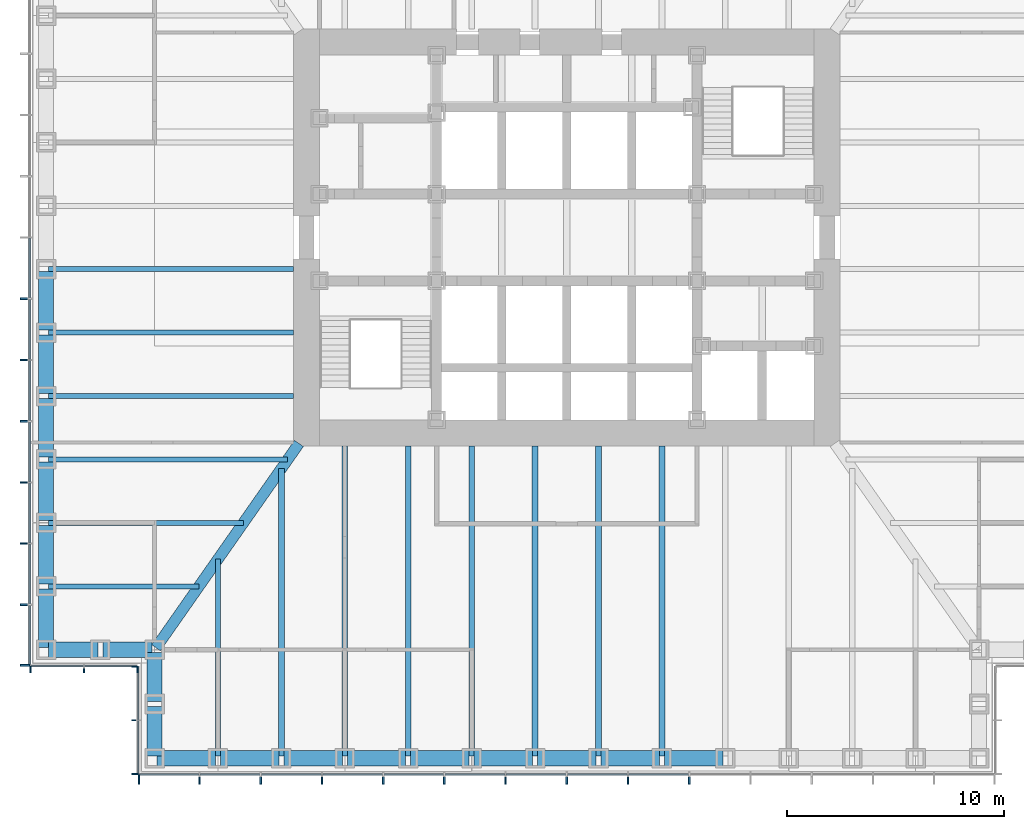
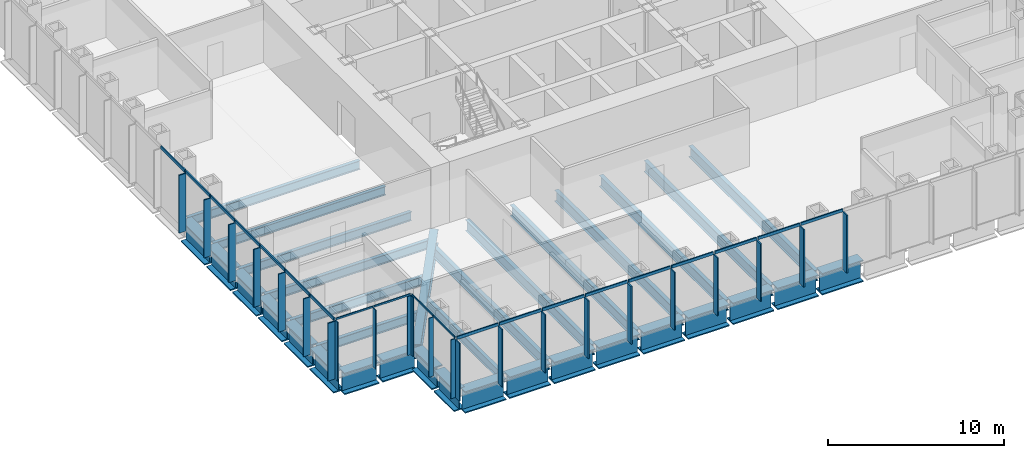
# One storey, part 2 of 17: 43 members, 34 beams, 4 elements without a shape of their own.
"""IFC4 building model written with IfcOpenShell, lengths in metres."""

import ifcopenshell
import ifcopenshell.guid

model = None  # the IFC model being written
_history = None  # IfcOwnerHistory: only IFC2X3 demands one
_inside = {}  # id of a spatial element -> (the spatial element, [elements in it])
_under = {}  # id of a project, library or spatial element -> (it, [spatial elements below it])
_declared = {}  # id of a project -> (the project, [libraries it declares])
_typed = {}  # id of a type object -> (the type object, [elements of that type])
_made_of = {}  # id of a material, layer set ... -> (it, [elements and type objects made of it])


def new_model(schema):
    """Start an empty IFC model of exactly this schema.

    Asked for "IFC4X3", IfcOpenShell would pick the latest addendum, in which some entities
    have other attributes; the version numbers below select the first issue.
    IFC2X3 requires an IfcOwnerHistory on every rooted entity: one is made here for all.
    """
    global model, _history
    if schema == "IFC4X3":
        model = ifcopenshell.file(schema_version=(4, 3, 0, 0))
    else:
        model = ifcopenshell.file(schema=schema)
    _inside.clear()
    _under.clear()
    _declared.clear()
    _typed.clear()
    _made_of.clear()
    _history = None
    if model.schema == "IFC2X3":
        org = make("IfcOrganization", Name="unknown")
        user = make(
            "IfcPersonAndOrganization",
            ThePerson=make("IfcPerson", FamilyName="unknown"),
            TheOrganization=org,
        )
        app = make(
            "IfcApplication",
            ApplicationDeveloper=org,
            Version="unknown",
            ApplicationFullName="unknown",
            ApplicationIdentifier="unknown",
        )
        _history = make(
            "IfcOwnerHistory",
            OwningUser=user,
            OwningApplication=app,
            ChangeAction="ADDED",
            CreationDate=0,
        )
    return model


def make(cls, **values):
    """One entity of the class cls with the attributes given. An attribute that is None is left unset."""
    return model.create_entity(
        cls, **{name: value for name, value in values.items() if value is not None}
    )


def rooted(cls, **values):
    """An entity with a GlobalId (a new one), such as an element, a storey or a relation."""
    return make(cls, GlobalId=ifcopenshell.guid.new(), OwnerHistory=_history, **values)


def si_unit(unit_type, name, prefix=None):
    """IfcSIUnit, for example si_unit("LENGTHUNIT", "METRE", prefix="MILLI")."""
    return make("IfcSIUnit", UnitType=unit_type, Prefix=prefix, Name=name)


def assignment(units):
    """IfcUnitAssignment: the units of a project."""
    return None if units is None else make("IfcUnitAssignment", Units=units)


def point(xyz):
    """IfcCartesianPoint."""
    return None if xyz is None else make("IfcCartesianPoint", Coordinates=xyz)


def direction(xyz):
    """IfcDirection."""
    return None if xyz is None else make("IfcDirection", DirectionRatios=xyz)


def frame(location, z_axis=None, x_axis=None):
    """IfcAxis2Placement3D, a coordinate frame: its origin and axes. An axis left out is left unset."""
    return make(
        "IfcAxis2Placement3D",
        Location=point(location),
        Axis=direction(z_axis),
        RefDirection=direction(x_axis),
    )


def frame_2d(location, x_axis=None):
    """IfcAxis2Placement2D, a coordinate frame in the plane: its origin and x axis."""
    return make(
        "IfcAxis2Placement2D", Location=point(location), RefDirection=direction(x_axis)
    )


def origin():
    """The frame at (0, 0, 0) with its axes left unset."""
    return frame((0.0, 0.0, 0.0))


def origin_2d():
    """The frame at (0, 0) in the plane with its x axis left unset."""
    return frame_2d((0.0, 0.0))


def place(relative_to, where):
    """IfcLocalPlacement: puts the frame where relative to a parent placement (None: the world)."""
    return make(
        "IfcLocalPlacement", PlacementRelTo=relative_to, RelativePlacement=where
    )


def context(
    kind, dimensions, precision=None, world=None, true_north=None, identifier=None
):
    """IfcGeometricRepresentationContext, for example the 3D "Model" context."""
    return make(
        "IfcGeometricRepresentationContext",
        ContextIdentifier=identifier,
        ContextType=kind,
        CoordinateSpaceDimension=dimensions,
        Precision=precision,
        WorldCoordinateSystem=world,
        TrueNorth=true_north,
    )


def subcontext(parent, identifier, kind, view, scale=None):
    """IfcGeometricRepresentationSubContext, for example "Body" below "Model"."""
    return make(
        "IfcGeometricRepresentationSubContext",
        ContextIdentifier=identifier,
        ContextType=kind,
        ParentContext=parent,
        TargetScale=scale,
        TargetView=view,
    )


def project(units=None, contexts=None):
    """IfcProject with its units and contexts."""
    return rooted(
        "IfcProject",
        Name="project",
        RepresentationContexts=contexts,
        UnitsInContext=assignment(units),
    )


def spatial(cls, under=None, at=None, **own):
    """A site, building, storey or space (cls), placed at a placement, below another one or the project."""
    s = rooted(cls, ObjectPlacement=at, **own)
    if under is not None:
        _under.setdefault(under.id(), (under, []))[1].append(s)
    return s


def profile(cls, at=None, kind="AREA", **sizes):
    """A parametric profile (cls). Its sizes go by their IFC names, for example OverallWidth=200.0."""
    return make(cls, ProfileType=kind, Position=at, **sizes)


def rectangle(**sizes):
    """IfcRectangleProfileDef."""
    return profile("IfcRectangleProfileDef", **sizes)


def i_section(**sizes):
    """IfcIShapeProfileDef."""
    return profile("IfcIShapeProfileDef", **sizes)


def extrude(swept, where, along, depth):
    """IfcExtrudedAreaSolid: the profile swept, set in the frame where, extruded along a direction by depth."""
    return make(
        "IfcExtrudedAreaSolid",
        SweptArea=swept,
        Position=where,
        ExtrudedDirection=direction(along),
        Depth=depth,
    )


def shape(context_of_items, identifier, shape_type, items):
    """IfcShapeRepresentation: the items that make up one representation, for example the "Body"."""
    return make(
        "IfcShapeRepresentation",
        ContextOfItems=context_of_items,
        RepresentationIdentifier=identifier,
        RepresentationType=shape_type,
        Items=items,
    )


def material(Name=None, Category=None):
    """IfcMaterial."""
    return make("IfcMaterial", Name=Name, Category=Category)


def material_profile(
    of_material, cross_section, Name=None, Category=None, Priority=None
):
    """IfcMaterialProfile: a cross section and its material."""
    return make(
        "IfcMaterialProfile",
        Name=Name,
        Material=of_material,
        Profile=cross_section,
        Priority=Priority,
        Category=Category,
    )


def profile_set(profiles, Name=None, composite=None):
    """IfcMaterialProfileSet."""
    return make(
        "IfcMaterialProfileSet",
        Name=Name,
        MaterialProfiles=profiles,
        CompositeProfile=composite,
    )


def made_of(thing, what):
    """Note that an element or type object is made of a material, layer set ...; save() writes the relation."""
    if what is not None:
        _made_of.setdefault(what.id(), (what, []))[1].append(thing)
    return thing


def type_object(cls, material=None, **own):
    """A type object (cls), such as IfcWallType, which elements share."""
    return made_of(rooted(cls, **own), material)


def element(
    cls,
    number,
    at=None,
    inside=None,
    cuts=None,
    type_object=None,
    material=None,
    context=None,
    identifier="Body",
    shape_type=None,
    held_by="IfcProductDefinitionShape",
    body=None,
    shapes=None,
    **own,
):
    """One element of the class cls, such as IfcWall. Its Tag is "e" and its number.

    at: its placement. inside: the storey or other place that contains it. cuts: it is an
    opening in that element (IfcRelVoidsElement). A single representation is given by context,
    identifier, shape_type and body (its items); several are given by shapes. held_by: the class
    of the entity that holds the representations. save() writes the other relations.
    """
    e = rooted(cls, Tag="e%d" % number, ObjectPlacement=at, **own)
    if body is not None:
        shapes = [shape(context, identifier, shape_type, body)]
    if shapes is not None:
        e.Representation = make(held_by, Representations=shapes)
    if inside is not None:
        _inside.setdefault(inside.id(), (inside, []))[1].append(e)
    if cuts is not None:
        rooted(
            "IfcRelVoidsElement", RelatingBuildingElement=cuts, RelatedOpeningElement=e
        )
    if type_object is not None:
        _typed.setdefault(type_object.id(), (type_object, []))[1].append(e)
    return made_of(e, material)


def aggregate(whole, parts):
    """IfcRelAggregates: a whole, such as a stair, and the parts it consists of."""
    return rooted("IfcRelAggregates", RelatingObject=whole, RelatedObjects=parts)


def save(model, path):
    """Write the relations noted so far, then the file.

    IfcRelAggregates (storeys below a building ...), IfcRelContainedInSpatialStructure (elements
    in a storey), IfcRelDefinesByType, IfcRelAssociatesMaterial and IfcRelDeclares: one each for
    every whole, place, type object, material and project.
    """
    for whole, parts in _under.values():
        aggregate(whole, parts)
    for where, things in _inside.values():
        rooted(
            "IfcRelContainedInSpatialStructure",
            RelatedElements=things,
            RelatingStructure=where,
        )
    for kind, things in _typed.values():
        rooted("IfcRelDefinesByType", RelatedObjects=things, RelatingType=kind)
    for what, things in _made_of.values():
        rooted("IfcRelAssociatesMaterial", RelatedObjects=things, RelatingMaterial=what)
    for by, libraries in _declared.values():
        rooted("IfcRelDeclares", RelatingContext=by, RelatedDefinitions=libraries)
    model.write(path)


model = new_model("IFC4")

# Units and contexts
model_context = context("Model", 3, precision=1e-05, world=origin(), true_north=direction((0.0, 1.0)))
body_context = subcontext(model_context, "Body", "Model", "MODEL_VIEW")
ifc_project = project(units=[si_unit("LENGTHUNIT", "METRE"), si_unit("AREAUNIT", "SQUARE_METRE"), si_unit("VOLUMEUNIT", "CUBIC_METRE"), si_unit("PLANEANGLEUNIT", "RADIAN"), si_unit("MASSUNIT", "GRAM", prefix="KILO")], contexts=[model_context])

# Site, building, storey
site_placement = place(None, origin())
site = spatial("IfcSite", under=ifc_project, at=site_placement, CompositionType="ELEMENT")
building_placement = place(site_placement, origin())
building = spatial("IfcBuilding", under=site, at=building_placement, Name="Daluyong Arena Tower", CompositionType="ELEMENT")
storey_placement = place(building_placement, frame((0.0, 0.0, 89.5)))
storey = spatial("IfcBuildingStorey", under=building, at=storey_placement, Name="L19", CompositionType="ELEMENT", Elevation=89.5)

# Curtain wall, members
ifc_material_1 = material(Name="Bronze anodised aluminium and glass", Category="aluminium")
curtain_wall_type_1 = type_object("IfcCurtainWallType", Name="Curtain wall CW1", PredefinedType="USERDEFINED", material=ifc_material_1)
curtain_wall_1_placement = place(storey_placement, origin())
curtain_wall_1 = element("IfcCurtainWall", 1, at=curtain_wall_1_placement, inside=storey, type_object=curtain_wall_type_1, Name="curtain wall L19 S", ObjectType="UNITISED CURTAIN WALL", PredefinedType="USERDEFINED")
ifc_material_2 = material(Name="Bronze anodised aluminium fin", Category="aluminium")
ifc_material_profile_1 = material_profile(ifc_material_2, rectangle(XDim=0.449951171875, YDim=0.080078125, at=origin_2d()))
ifc_profile_set_1 = profile_set([ifc_material_profile_1], Name="Bronze anodised aluminium fin")
member_type_1 = type_object("IfcMemberType", Name="CW1 bronze fin 450x80", PredefinedType="MULLION", material=ifc_profile_set_1)
member_1_placement = place(storey_placement, frame((36.2900390625, 55.02490234375, 0.0), z_axis=(0.0, 0.0, 1.0), x_axis=(0.0, 1.0, 0.0)))
member_1 = element("IfcMember", 2, at=member_1_placement, type_object=member_type_1, Name="curtain wall L19 S fin 1", PredefinedType="MULLION", context=body_context, shape_type="SweptSolid", body=[
    extrude(rectangle(XDim=0.449951171875, YDim=0.080078125, at=origin_2d()), origin(), (0.0, 0.0, 1.0), 4.0),
])
member_2_placement = place(storey_placement, frame((39.071533203125, 55.02490234375, 0.0), z_axis=(0.0, 0.0, 1.0), x_axis=(0.0, 1.0, 0.0)))
member_2 = element("IfcMember", 3, at=member_2_placement, type_object=member_type_1, Name="curtain wall L19 S fin 2", PredefinedType="MULLION", context=body_context, shape_type="SweptSolid", body=[
    extrude(rectangle(XDim=0.449951171875, YDim=0.080078125, at=origin_2d()), origin(), (0.0, 0.0, 1.0), 4.0),
])
member_3_placement = place(storey_placement, frame((41.892822265625, 55.02490234375, 0.0), z_axis=(0.0, 0.0, 1.0), x_axis=(0.0, 1.0, 0.0)))
member_3 = element("IfcMember", 4, at=member_3_placement, type_object=member_type_1, Name="curtain wall L19 S fin 3", PredefinedType="MULLION", context=body_context, shape_type="SweptSolid", body=[
    extrude(rectangle(XDim=0.449951171875, YDim=0.080078125, at=origin_2d()), origin(), (0.0, 0.0, 1.0), 4.0),
])
member_4_placement = place(storey_placement, frame((44.71435546875, 55.02490234375, 0.0), z_axis=(0.0, 0.0, 1.0), x_axis=(0.0, 1.0, 0.0)))
member_4 = element("IfcMember", 5, at=member_4_placement, type_object=member_type_1, Name="curtain wall L19 S fin 4", PredefinedType="MULLION", context=body_context, shape_type="SweptSolid", body=[
    extrude(rectangle(XDim=0.449951171875, YDim=0.080078125, at=origin_2d()), origin(), (0.0, 0.0, 1.0), 4.0),
])
member_5_placement = place(storey_placement, frame((47.53564453125, 55.02490234375, 0.0), z_axis=(0.0, 0.0, 1.0), x_axis=(0.0, 1.0, 0.0)))
member_5 = element("IfcMember", 6, at=member_5_placement, type_object=member_type_1, Name="curtain wall L19 S fin 5", PredefinedType="MULLION", context=body_context, shape_type="SweptSolid", body=[
    extrude(rectangle(XDim=0.449951171875, YDim=0.080078125, at=origin_2d()), origin(), (0.0, 0.0, 1.0), 4.0),
])
member_6_placement = place(storey_placement, frame((50.357177734375, 55.02490234375, 0.0), z_axis=(0.0, 0.0, 1.0), x_axis=(0.0, 1.0, 0.0)))
member_6 = element("IfcMember", 7, at=member_6_placement, type_object=member_type_1, Name="curtain wall L19 S fin 6", PredefinedType="MULLION", context=body_context, shape_type="SweptSolid", body=[
    extrude(rectangle(XDim=0.449951171875, YDim=0.080078125, at=origin_2d()), origin(), (0.0, 0.0, 1.0), 4.0),
])
member_7_placement = place(storey_placement, frame((53.178466796875, 55.02490234375, 0.0), z_axis=(0.0, 0.0, 1.0), x_axis=(0.0, 1.0, 0.0)))
member_7 = element("IfcMember", 8, at=member_7_placement, type_object=member_type_1, Name="curtain wall L19 S fin 7", PredefinedType="MULLION", context=body_context, shape_type="SweptSolid", body=[
    extrude(rectangle(XDim=0.449951171875, YDim=0.080078125, at=origin_2d()), origin(), (0.0, 0.0, 1.0), 4.0),
])
member_8_placement = place(storey_placement, frame((56.0, 55.02490234375, 0.0), z_axis=(0.0, 0.0, 1.0), x_axis=(0.0, 1.0, 0.0)))
member_8 = element("IfcMember", 9, at=member_8_placement, type_object=member_type_1, Name="curtain wall L19 S fin 8", PredefinedType="MULLION", context=body_context, shape_type="SweptSolid", body=[
    extrude(rectangle(XDim=0.449951171875, YDim=0.080078125, at=origin_2d()), origin(), (0.0, 0.0, 1.0), 4.0),
])
member_9_placement = place(storey_placement, frame((58.821533203125, 55.02490234375, 0.0), z_axis=(0.0, 0.0, 1.0), x_axis=(0.0, 1.0, 0.0)))
member_9 = element("IfcMember", 10, at=member_9_placement, type_object=member_type_1, Name="curtain wall L19 S fin 9", PredefinedType="MULLION", context=body_context, shape_type="SweptSolid", body=[
    extrude(rectangle(XDim=0.449951171875, YDim=0.080078125, at=origin_2d()), origin(), (0.0, 0.0, 1.0), 4.0),
])
member_10_placement = place(storey_placement, frame((61.642822265625, 55.02490234375, 0.0), z_axis=(0.0, 0.0, 1.0), x_axis=(0.0, 1.0, 0.0)))
member_10 = element("IfcMember", 11, at=member_10_placement, type_object=member_type_1, Name="curtain wall L19 S fin 10", PredefinedType="MULLION", context=body_context, shape_type="SweptSolid", body=[
    extrude(rectangle(XDim=0.449951171875, YDim=0.080078125, at=origin_2d()), origin(), (0.0, 0.0, 1.0), 4.0),
])

curtain_wall_2_placement = place(storey_placement, origin())
curtain_wall_2 = element("IfcCurtainWall", 12, at=curtain_wall_2_placement, inside=storey, type_object=curtain_wall_type_1, Name="curtain wall L19 W", ObjectType="UNITISED CURTAIN WALL", PredefinedType="USERDEFINED")
member_11_placement = place(storey_placement, frame((31.02490234375, 77.178466796875, 0.0), z_axis=(0.0, 0.0, 1.0), x_axis=(1.0, 0.0, 0.0)))
member_11 = element("IfcMember", 13, at=member_11_placement, type_object=member_type_1, Name="curtain wall L19 W fin 9", PredefinedType="MULLION", context=body_context, shape_type="SweptSolid", body=[
    extrude(rectangle(XDim=0.449951171875, YDim=0.080078125, at=origin_2d()), origin(), (0.0, 0.0, 1.0), 4.0),
])
member_12_placement = place(storey_placement, frame((31.02490234375, 74.357177734375, 0.0), z_axis=(0.0, 0.0, 1.0), x_axis=(1.0, 0.0, 0.0)))
member_12 = element("IfcMember", 14, at=member_12_placement, type_object=member_type_1, Name="curtain wall L19 W fin 10", PredefinedType="MULLION", context=body_context, shape_type="SweptSolid", body=[
    extrude(rectangle(XDim=0.449951171875, YDim=0.080078125, at=origin_2d()), origin(), (0.0, 0.0, 1.0), 4.0),
])
member_13_placement = place(storey_placement, frame((31.02490234375, 71.53564453125, 0.0), z_axis=(0.0, 0.0, 1.0), x_axis=(1.0, 0.0, 0.0)))
member_13 = element("IfcMember", 15, at=member_13_placement, type_object=member_type_1, Name="curtain wall L19 W fin 11", PredefinedType="MULLION", context=body_context, shape_type="SweptSolid", body=[
    extrude(rectangle(XDim=0.449951171875, YDim=0.080078125, at=origin_2d()), origin(), (0.0, 0.0, 1.0), 4.0),
])
member_14_placement = place(storey_placement, frame((31.02490234375, 68.71435546875, 0.0), z_axis=(0.0, 0.0, 1.0), x_axis=(1.0, 0.0, 0.0)))
member_14 = element("IfcMember", 16, at=member_14_placement, type_object=member_type_1, Name="curtain wall L19 W fin 12", PredefinedType="MULLION", context=body_context, shape_type="SweptSolid", body=[
    extrude(rectangle(XDim=0.449951171875, YDim=0.080078125, at=origin_2d()), origin(), (0.0, 0.0, 1.0), 4.0),
])
member_15_placement = place(storey_placement, frame((31.02490234375, 65.892822265625, 0.0), z_axis=(0.0, 0.0, 1.0), x_axis=(1.0, 0.0, 0.0)))
member_15 = element("IfcMember", 17, at=member_15_placement, type_object=member_type_1, Name="curtain wall L19 W fin 13", PredefinedType="MULLION", context=body_context, shape_type="SweptSolid", body=[
    extrude(rectangle(XDim=0.449951171875, YDim=0.080078125, at=origin_2d()), origin(), (0.0, 0.0, 1.0), 4.0),
])
member_16_placement = place(storey_placement, frame((31.02490234375, 63.071533203125, 0.0), z_axis=(0.0, 0.0, 1.0), x_axis=(1.0, 0.0, 0.0)))
member_16 = element("IfcMember", 18, at=member_16_placement, type_object=member_type_1, Name="curtain wall L19 W fin 14", PredefinedType="MULLION", context=body_context, shape_type="SweptSolid", body=[
    extrude(rectangle(XDim=0.449951171875, YDim=0.080078125, at=origin_2d()), origin(), (0.0, 0.0, 1.0), 4.0),
])
member_17_placement = place(storey_placement, frame((31.02490234375, 60.2900390625, 0.0), z_axis=(0.0, 0.0, 1.0), x_axis=(1.0, 0.0, 0.0)))
member_17 = element("IfcMember", 19, at=member_17_placement, type_object=member_type_1, Name="curtain wall L19 W fin 15", PredefinedType="MULLION", context=body_context, shape_type="SweptSolid", body=[
    extrude(rectangle(XDim=0.449951171875, YDim=0.080078125, at=origin_2d()), origin(), (0.0, 0.0, 1.0), 4.0),
])

# Member
ifc_material_3 = material(Name="Bronze anodised aluminium", Category="aluminium")
ifc_material_profile_2 = material_profile(ifc_material_3, rectangle(XDim=0.080078125, YDim=0.199951171875, at=origin_2d()))
ifc_profile_set_2 = profile_set([ifc_material_profile_2], Name="Bronze anodised aluminium")
member_type_2 = type_object("IfcMemberType", Name="CW1 stack transom 200x80", PredefinedType="USERDEFINED", material=ifc_profile_set_2)
member_18_placement = place(storey_placement, frame((36.330078125, 55.25, 4.10009765625), z_axis=(1.0, 0.0, 0.0), x_axis=(0.0, 1.0, 0.0)))
member_18 = element("IfcMember", 20, at=member_18_placement, type_object=member_type_2, Name="curtain wall L19 S transom 1", ObjectType="TRANSOM", PredefinedType="USERDEFINED", context=body_context, shape_type="SweptSolid", body=[
    extrude(rectangle(XDim=0.080078125, YDim=0.199951171875, at=origin_2d()), origin(), (0.0, 0.0, 1.0), 2.701416015625),
])

member_19_placement = place(storey_placement, frame((39.111328125, 55.25, 4.10009765625), z_axis=(1.0, 0.0, 0.0), x_axis=(0.0, 1.0, 0.0)))
member_19 = element("IfcMember", 21, at=member_19_placement, type_object=member_type_2, Name="curtain wall L19 S transom 2", ObjectType="TRANSOM", PredefinedType="USERDEFINED", context=body_context, shape_type="SweptSolid", body=[
    extrude(rectangle(XDim=0.080078125, YDim=0.199951171875, at=origin_2d()), origin(), (0.0, 0.0, 1.0), 2.741455078125),
])

member_20_placement = place(storey_placement, frame((41.932861328125, 55.25, 4.10009765625), z_axis=(1.0, 0.0, 0.0), x_axis=(0.0, 1.0, 0.0)))
member_20 = element("IfcMember", 22, at=member_20_placement, type_object=member_type_2, Name="curtain wall L19 S transom 3", ObjectType="TRANSOM", PredefinedType="USERDEFINED", context=body_context, shape_type="SweptSolid", body=[
    extrude(rectangle(XDim=0.080078125, YDim=0.199951171875, at=origin_2d()), origin(), (0.0, 0.0, 1.0), 2.741455078125),
])

member_21_placement = place(storey_placement, frame((44.75439453125, 55.25, 4.10009765625), z_axis=(1.0, 0.0, 0.0), x_axis=(0.0, 1.0, 0.0)))
member_21 = element("IfcMember", 23, at=member_21_placement, type_object=member_type_2, Name="curtain wall L19 S transom 4", ObjectType="TRANSOM", PredefinedType="USERDEFINED", context=body_context, shape_type="SweptSolid", body=[
    extrude(rectangle(XDim=0.080078125, YDim=0.199951171875, at=origin_2d()), origin(), (0.0, 0.0, 1.0), 2.7412109375),
])

member_22_placement = place(storey_placement, frame((47.57568359375, 55.25, 4.10009765625), z_axis=(1.0, 0.0, 0.0), x_axis=(0.0, 1.0, 0.0)))
member_22 = element("IfcMember", 24, at=member_22_placement, type_object=member_type_2, Name="curtain wall L19 S transom 5", ObjectType="TRANSOM", PredefinedType="USERDEFINED", context=body_context, shape_type="SweptSolid", body=[
    extrude(rectangle(XDim=0.080078125, YDim=0.199951171875, at=origin_2d()), origin(), (0.0, 0.0, 1.0), 2.741455078125),
])

member_23_placement = place(storey_placement, frame((50.397216796875, 55.25, 4.10009765625), z_axis=(1.0, 0.0, 0.0), x_axis=(0.0, 1.0, 0.0)))
member_23 = element("IfcMember", 25, at=member_23_placement, type_object=member_type_2, Name="curtain wall L19 S transom 6", ObjectType="TRANSOM", PredefinedType="USERDEFINED", context=body_context, shape_type="SweptSolid", body=[
    extrude(rectangle(XDim=0.080078125, YDim=0.199951171875, at=origin_2d()), origin(), (0.0, 0.0, 1.0), 2.741455078125),
])

member_24_placement = place(storey_placement, frame((53.218505859375, 55.25, 4.10009765625), z_axis=(1.0, 0.0, 0.0), x_axis=(0.0, 1.0, 0.0)))
member_24 = element("IfcMember", 26, at=member_24_placement, type_object=member_type_2, Name="curtain wall L19 S transom 7", ObjectType="TRANSOM", PredefinedType="USERDEFINED", context=body_context, shape_type="SweptSolid", body=[
    extrude(rectangle(XDim=0.080078125, YDim=0.199951171875, at=origin_2d()), origin(), (0.0, 0.0, 1.0), 2.741455078125),
])

member_25_placement = place(storey_placement, frame((56.0400390625, 55.25, 4.10009765625), z_axis=(1.0, 0.0, 0.0), x_axis=(0.0, 1.0, 0.0)))
member_25 = element("IfcMember", 27, at=member_25_placement, type_object=member_type_2, Name="curtain wall L19 S transom 8", ObjectType="TRANSOM", PredefinedType="USERDEFINED", context=body_context, shape_type="SweptSolid", body=[
    extrude(rectangle(XDim=0.080078125, YDim=0.199951171875, at=origin_2d()), origin(), (0.0, 0.0, 1.0), 2.741455078125),
])

member_26_placement = place(storey_placement, frame((58.861328125, 55.25, 4.10009765625), z_axis=(1.0, 0.0, 0.0), x_axis=(0.0, 1.0, 0.0)))
member_26 = element("IfcMember", 28, at=member_26_placement, type_object=member_type_2, Name="curtain wall L19 S transom 9", ObjectType="TRANSOM", PredefinedType="USERDEFINED", context=body_context, shape_type="SweptSolid", body=[
    extrude(rectangle(XDim=0.080078125, YDim=0.199951171875, at=origin_2d()), origin(), (0.0, 0.0, 1.0), 2.741455078125),
])

aggregate(curtain_wall_1, [member_1, member_2, member_3, member_4, member_5, member_6, member_7, member_8, member_9, member_10, member_18, member_19, member_20, member_21, member_22, member_23, member_24, member_25, member_26])

member_27_placement = place(storey_placement, frame((31.25, 79.9599609375, 4.10009765625), z_axis=(0.0, -1.0, 0.0), x_axis=(1.0, 0.0, 0.0)))
member_27 = element("IfcMember", 29, at=member_27_placement, type_object=member_type_2, Name="curtain wall L19 W transom 8", ObjectType="TRANSOM", PredefinedType="USERDEFINED", context=body_context, shape_type="SweptSolid", body=[
    extrude(rectangle(XDim=0.080078125, YDim=0.199951171875, at=origin_2d()), origin(), (0.0, 0.0, 1.0), 2.741455078125),
])

member_28_placement = place(storey_placement, frame((31.25, 77.138671875, 4.10009765625), z_axis=(0.0, -1.0, 0.0), x_axis=(1.0, 0.0, 0.0)))
member_28 = element("IfcMember", 30, at=member_28_placement, type_object=member_type_2, Name="curtain wall L19 W transom 9", ObjectType="TRANSOM", PredefinedType="USERDEFINED", context=body_context, shape_type="SweptSolid", body=[
    extrude(rectangle(XDim=0.080078125, YDim=0.199951171875, at=origin_2d()), origin(), (0.0, 0.0, 1.0), 2.741455078125),
])

member_29_placement = place(storey_placement, frame((31.25, 74.317138671875, 4.10009765625), z_axis=(0.0, -1.0, 0.0), x_axis=(1.0, 0.0, 0.0)))
member_29 = element("IfcMember", 31, at=member_29_placement, type_object=member_type_2, Name="curtain wall L19 W transom 10", ObjectType="TRANSOM", PredefinedType="USERDEFINED", context=body_context, shape_type="SweptSolid", body=[
    extrude(rectangle(XDim=0.080078125, YDim=0.199951171875, at=origin_2d()), origin(), (0.0, 0.0, 1.0), 2.741455078125),
])

member_30_placement = place(storey_placement, frame((31.25, 71.49560546875, 4.10009765625), z_axis=(0.0, -1.0, 0.0), x_axis=(1.0, 0.0, 0.0)))
member_30 = element("IfcMember", 32, at=member_30_placement, type_object=member_type_2, Name="curtain wall L19 W transom 11", ObjectType="TRANSOM", PredefinedType="USERDEFINED", context=body_context, shape_type="SweptSolid", body=[
    extrude(rectangle(XDim=0.080078125, YDim=0.199951171875, at=origin_2d()), origin(), (0.0, 0.0, 1.0), 2.7412109375),
])

member_31_placement = place(storey_placement, frame((31.25, 68.67431640625, 4.10009765625), z_axis=(0.0, -1.0, 0.0), x_axis=(1.0, 0.0, 0.0)))
member_31 = element("IfcMember", 33, at=member_31_placement, type_object=member_type_2, Name="curtain wall L19 W transom 12", ObjectType="TRANSOM", PredefinedType="USERDEFINED", context=body_context, shape_type="SweptSolid", body=[
    extrude(rectangle(XDim=0.080078125, YDim=0.199951171875, at=origin_2d()), origin(), (0.0, 0.0, 1.0), 2.741455078125),
])

member_32_placement = place(storey_placement, frame((31.25, 65.852783203125, 4.10009765625), z_axis=(0.0, -1.0, 0.0), x_axis=(1.0, 0.0, 0.0)))
member_32 = element("IfcMember", 34, at=member_32_placement, type_object=member_type_2, Name="curtain wall L19 W transom 13", ObjectType="TRANSOM", PredefinedType="USERDEFINED", context=body_context, shape_type="SweptSolid", body=[
    extrude(rectangle(XDim=0.080078125, YDim=0.199951171875, at=origin_2d()), origin(), (0.0, 0.0, 1.0), 2.741455078125),
])

member_33_placement = place(storey_placement, frame((31.25, 63.031494140625, 4.10009765625), z_axis=(0.0, -1.0, 0.0), x_axis=(1.0, 0.0, 0.0)))
member_33 = element("IfcMember", 35, at=member_33_placement, type_object=member_type_2, Name="curtain wall L19 W transom 14", ObjectType="TRANSOM", PredefinedType="USERDEFINED", context=body_context, shape_type="SweptSolid", body=[
    extrude(rectangle(XDim=0.080078125, YDim=0.199951171875, at=origin_2d()), origin(), (0.0, 0.0, 1.0), 2.701416015625),
])

aggregate(curtain_wall_2, [member_11, member_12, member_13, member_14, member_15, member_16, member_17, member_27, member_28, member_29, member_30, member_31, member_32, member_33])

# Curtain wall, members
ifc_material_4 = material(Name="Bronze anodised aluminium and glass", Category="aluminium")
curtain_wall_type_2 = type_object("IfcCurtainWallType", Name="Curtain wall CW7", PredefinedType="USERDEFINED", material=ifc_material_4)
curtain_wall_3_placement = place(storey_placement, origin())
curtain_wall_3 = element("IfcCurtainWall", 36, at=curtain_wall_3_placement, inside=storey, type_object=curtain_wall_type_2, Name="curtain wall L19 SW-S", ObjectType="UNITISED CURTAIN WALL", PredefinedType="USERDEFINED")
ifc_material_5 = material(Name="Bronze anodised aluminium fin", Category="aluminium")
ifc_material_profile_3 = material_profile(ifc_material_5, rectangle(XDim=0.300048828125, YDim=0.06005859375, at=origin_2d()))
ifc_profile_set_3 = profile_set([ifc_material_profile_3], Name="Bronze anodised aluminium fin")
member_type_3 = type_object("IfcMemberType", Name="CW7 bronze fin 300x60", PredefinedType="MULLION", material=ifc_profile_set_3)
member_34_placement = place(storey_placement, frame((31.280029296875, 60.10009765625, 0.0), z_axis=(0.0, 0.0, 1.0), x_axis=(0.0, 1.0, 0.0)))
member_34 = element("IfcMember", 37, at=member_34_placement, type_object=member_type_3, Name="curtain wall L19 SW-S fin 1", PredefinedType="MULLION", context=body_context, shape_type="SweptSolid", body=[
    extrude(rectangle(XDim=0.300048828125, YDim=0.06005859375, at=origin_2d()), origin(), (0.0, 0.0, 1.0), 4.080078125),
])
member_35_placement = place(storey_placement, frame((33.75, 60.10009765625, 0.0), z_axis=(0.0, 0.0, 1.0), x_axis=(0.0, 1.0, 0.0)))
member_35 = element("IfcMember", 38, at=member_35_placement, type_object=member_type_3, Name="curtain wall L19 SW-S fin 2", PredefinedType="MULLION", context=body_context, shape_type="SweptSolid", body=[
    extrude(rectangle(XDim=0.300048828125, YDim=0.06005859375, at=origin_2d()), origin(), (0.0, 0.0, 1.0), 4.080078125),
])
member_36_placement = place(storey_placement, frame((36.219970703125, 60.10009765625, 0.0), z_axis=(0.0, 0.0, 1.0), x_axis=(0.0, 1.0, 0.0)))
member_36 = element("IfcMember", 39, at=member_36_placement, type_object=member_type_3, Name="curtain wall L19 SW-S fin 3", PredefinedType="MULLION", context=body_context, shape_type="SweptSolid", body=[
    extrude(rectangle(XDim=0.300048828125, YDim=0.06005859375, at=origin_2d()), origin(), (0.0, 0.0, 1.0), 4.080078125),
])

curtain_wall_4_placement = place(storey_placement, origin())
curtain_wall_4 = element("IfcCurtainWall", 40, at=curtain_wall_4_placement, inside=storey, type_object=curtain_wall_type_2, Name="curtain wall L19 SW-W", ObjectType="UNITISED CURTAIN WALL", PredefinedType="USERDEFINED")
member_37_placement = place(storey_placement, frame((36.10009765625, 60.219970703125, 0.0), z_axis=(0.0, 0.0, 1.0), x_axis=(1.0, 0.0, 0.0)))
member_37 = element("IfcMember", 41, at=member_37_placement, type_object=member_type_3, Name="curtain wall L19 SW-W fin 1", PredefinedType="MULLION", context=body_context, shape_type="SweptSolid", body=[
    extrude(rectangle(XDim=0.300048828125, YDim=0.06005859375, at=origin_2d()), origin(), (0.0, 0.0, 1.0), 4.080078125),
])
member_38_placement = place(storey_placement, frame((36.10009765625, 57.75, 0.0), z_axis=(0.0, 0.0, 1.0), x_axis=(1.0, 0.0, 0.0)))
member_38 = element("IfcMember", 42, at=member_38_placement, type_object=member_type_3, Name="curtain wall L19 SW-W fin 2", PredefinedType="MULLION", context=body_context, shape_type="SweptSolid", body=[
    extrude(rectangle(XDim=0.300048828125, YDim=0.06005859375, at=origin_2d()), origin(), (0.0, 0.0, 1.0), 4.080078125),
])
member_39_placement = place(storey_placement, frame((36.10009765625, 55.280029296875, 0.0), z_axis=(0.0, 0.0, 1.0), x_axis=(1.0, 0.0, 0.0)))
member_39 = element("IfcMember", 43, at=member_39_placement, type_object=member_type_3, Name="curtain wall L19 SW-W fin 3", PredefinedType="MULLION", context=body_context, shape_type="SweptSolid", body=[
    extrude(rectangle(XDim=0.300048828125, YDim=0.06005859375, at=origin_2d()), origin(), (0.0, 0.0, 1.0), 4.080078125),
])

# Member
ifc_material_6 = material(Name="Bronze anodised aluminium", Category="aluminium")
ifc_material_profile_4 = material_profile(ifc_material_6, rectangle(XDim=0.06005859375, YDim=0.1201171875, at=origin_2d()))
ifc_profile_set_4 = profile_set([ifc_material_profile_4], Name="Bronze anodised aluminium")
member_type_4 = type_object("IfcMemberType", Name="CW7 stack transom 120x60", PredefinedType="USERDEFINED", material=ifc_profile_set_4)
member_40_placement = place(storey_placement, frame((31.31005859375, 60.25, 4.139892578125), z_axis=(1.0, 0.0, 0.0), x_axis=(0.0, 1.0, 0.0)))
member_40 = element("IfcMember", 44, at=member_40_placement, type_object=member_type_4, Name="curtain wall L19 SW-S transom 1", ObjectType="TRANSOM", PredefinedType="USERDEFINED", context=body_context, shape_type="SweptSolid", body=[
    extrude(rectangle(XDim=0.06005859375, YDim=0.1201171875, at=origin_2d()), origin(), (0.0, 0.0, 1.0), 2.409912109375),
])

member_41_placement = place(storey_placement, frame((33.780029296875, 60.25, 4.139892578125), z_axis=(1.0, 0.0, 0.0), x_axis=(0.0, 1.0, 0.0)))
member_41 = element("IfcMember", 45, at=member_41_placement, type_object=member_type_4, Name="curtain wall L19 SW-S transom 2", ObjectType="TRANSOM", PredefinedType="USERDEFINED", context=body_context, shape_type="SweptSolid", body=[
    extrude(rectangle(XDim=0.06005859375, YDim=0.1201171875, at=origin_2d()), origin(), (0.0, 0.0, 1.0), 2.409912109375),
])

aggregate(curtain_wall_3, [member_34, member_35, member_36, member_40, member_41])

member_42_placement = place(storey_placement, frame((36.25, 60.18994140625, 4.139892578125), z_axis=(0.0, -1.0, 0.0), x_axis=(1.0, 0.0, 0.0)))
member_42 = element("IfcMember", 46, at=member_42_placement, type_object=member_type_4, Name="curtain wall L19 SW-W transom 1", ObjectType="TRANSOM", PredefinedType="USERDEFINED", context=body_context, shape_type="SweptSolid", body=[
    extrude(rectangle(XDim=0.06005859375, YDim=0.1201171875, at=origin_2d()), origin(), (0.0, 0.0, 1.0), 2.409912109375),
])

member_43_placement = place(storey_placement, frame((36.25, 57.719970703125, 4.139892578125), z_axis=(0.0, -1.0, 0.0), x_axis=(1.0, 0.0, 0.0)))
member_43 = element("IfcMember", 47, at=member_43_placement, type_object=member_type_4, Name="curtain wall L19 SW-W transom 2", ObjectType="TRANSOM", PredefinedType="USERDEFINED", context=body_context, shape_type="SweptSolid", body=[
    extrude(rectangle(XDim=0.06005859375, YDim=0.1201171875, at=origin_2d()), origin(), (0.0, 0.0, 1.0), 2.409912109375),
])

aggregate(curtain_wall_4, [member_37, member_38, member_39, member_42, member_43])

# Beams
ifc_material_7 = material(Name="Steel ASTM A572 Grade 50", Category="steel")
ifc_material_profile_5 = material_profile(ifc_material_7, i_section(OverallWidth=0.5, OverallDepth=1.0, WebThickness=0.03, FlangeThickness=0.06, at=origin_2d()))
ifc_profile_set_5 = profile_set([ifc_material_profile_5], Name="Steel ASTM A572 Grade 50")
beam_type_1 = type_object("IfcBeamType", Name="Corner girder TB1000X500", PredefinedType="BEAM", material=ifc_profile_set_5)
beam_1_placement = place(storey_placement, frame((37.06591796875, 61.09423828125, -0.659912109375), z_axis=(0.573466621875, 0.819228926244, 0.0), x_axis=(-0.819228926244, 0.573466621875, 0.0)))
element("IfcBeam", 48, at=beam_1_placement, inside=storey, type_object=beam_type_1, Name="corner girder DG2", PredefinedType="BEAM", context=body_context, shape_type="SweptSolid", body=[
    extrude(i_section(OverallWidth=0.5, OverallDepth=1.0, WebThickness=0.03, FlangeThickness=0.06, at=origin_2d()), origin(), (0.0, 0.0, 1.0), 11.49169921875),
])
ifc_material_8 = material(Name="Steel ASTM A992 Grade 50", Category="steel")
ifc_material_profile_6 = material_profile(ifc_material_8, i_section(OverallWidth=0.22900390625, OverallDepth=0.612060546875, WebThickness=0.011962890625, FlangeThickness=0.01953125, at=origin_2d()))
ifc_profile_set_6 = profile_set([ifc_material_profile_6], Name="Steel ASTM A992 Grade 50")
beam_type_2 = type_object("IfcBeamType", Name="Floor beam W24X84", PredefinedType="BEAM", material=ifc_profile_set_6)
beam_2_placement = place(storey_placement, frame((39.923095703125, 56.114990234375, -0.466064453125), z_axis=(0.0, 1.0, 0.0), x_axis=(-1.0, 0.0, 0.0)))
element("IfcBeam", 49, at=beam_2_placement, inside=storey, type_object=beam_type_2, Name="floor beam FB3", PredefinedType="BEAM", context=body_context, shape_type="SweptSolid", body=[
    extrude(i_section(OverallWidth=0.22900390625, OverallDepth=0.612060546875, WebThickness=0.011962890625, FlangeThickness=0.01953125, at=origin_2d()), origin(), (0.0, 0.0, 1.0), 9.060791015625),
])
for number, where, z_axis, x_axis, name in (
    (50, (32.114990234375, 78.53857421875, -0.466064453125), (1.0, 0.0, 0.0), (0.0, 1.0, 0.0), "floor beam FB3"),
    (51, (32.114990234375, 75.615478515625, -0.466064453125), (1.0, 0.0, 0.0), (0.0, 1.0, 0.0), "floor beam FB3"),
    (52, (32.114990234375, 72.6923828125, -0.466064453125), (1.0, 0.0, 0.0), (0.0, 1.0, 0.0), "floor beam FB3"),
):
    element("IfcBeam", number, at=place(storey_placement, frame(where, z_axis=z_axis, x_axis=x_axis)), inside=storey, type_object=beam_type_2, Name=name, PredefinedType="BEAM", context=body_context, shape_type="SweptSolid", body=[
        extrude(i_section(OverallWidth=0.22900390625, OverallDepth=0.612060546875, WebThickness=0.011962890625, FlangeThickness=0.01953125, at=origin_2d()), origin(), (0.0, 0.0, 1.0), 11.284912109375),
    ])
beam_3_placement = place(storey_placement, frame((32.114990234375, 69.769287109375, -0.466064453125), z_axis=(1.0, 0.0, 0.0), x_axis=(0.0, 1.0, 0.0)))
element("IfcBeam", 53, at=beam_3_placement, inside=storey, type_object=beam_type_2, Name="floor beam FB3", PredefinedType="BEAM", context=body_context, shape_type="SweptSolid", body=[
    extrude(i_section(OverallWidth=0.22900390625, OverallDepth=0.612060546875, WebThickness=0.011962890625, FlangeThickness=0.01953125, at=origin_2d()), origin(), (0.0, 0.0, 1.0), 11.0234375),
])
beam_4_placement = place(storey_placement, frame((32.114990234375, 66.84619140625, -0.466064453125), z_axis=(1.0, 0.0, 0.0), x_axis=(0.0, 1.0, 0.0)))
element("IfcBeam", 54, at=beam_4_placement, inside=storey, type_object=beam_type_2, Name="floor beam FB3", PredefinedType="BEAM", context=body_context, shape_type="SweptSolid", body=[
    extrude(i_section(OverallWidth=0.22900390625, OverallDepth=0.612060546875, WebThickness=0.011962890625, FlangeThickness=0.01953125, at=origin_2d()), origin(), (0.0, 0.0, 1.0), 8.977294921875),
])
beam_5_placement = place(storey_placement, frame((32.114990234375, 63.923095703125, -0.466064453125), z_axis=(1.0, 0.0, 0.0), x_axis=(0.0, 1.0, 0.0)))
element("IfcBeam", 55, at=beam_5_placement, inside=storey, type_object=beam_type_2, Name="floor beam FB3", PredefinedType="BEAM", context=body_context, shape_type="SweptSolid", body=[
    extrude(i_section(OverallWidth=0.22900390625, OverallDepth=0.612060546875, WebThickness=0.011962890625, FlangeThickness=0.01953125, at=origin_2d()), origin(), (0.0, 0.0, 1.0), 6.93115234375),
])
ifc_material_9 = material(Name="Steel ASTM A992 Grade 50", Category="steel")
ifc_material_profile_7 = material_profile(ifc_material_9, i_section(OverallWidth=0.2666015625, OverallDepth=0.761962890625, WebThickness=0.014404296875, FlangeThickness=0.021484375, at=origin_2d()))
ifc_profile_set_7 = profile_set([ifc_material_profile_7], Name="Steel ASTM A992 Grade 50")
beam_type_3 = type_object("IfcBeamType", Name="Floor beam W30X116", PredefinedType="BEAM", material=ifc_profile_set_7)
beam_6_placement = place(storey_placement, frame((42.84619140625, 56.114990234375, -0.541015625), z_axis=(0.0, 1.0, 0.0), x_axis=(-1.0, 0.0, 0.0)))
element("IfcBeam", 56, at=beam_6_placement, inside=storey, type_object=beam_type_3, Name="floor beam FB4", PredefinedType="BEAM", context=body_context, shape_type="SweptSolid", body=[
    extrude(i_section(OverallWidth=0.2666015625, OverallDepth=0.761962890625, WebThickness=0.014404296875, FlangeThickness=0.021484375, at=origin_2d()), origin(), (0.0, 0.0, 1.0), 13.236572265625),
])
for number, where, z_axis, x_axis, name in (
    (57, (45.769287109375, 56.114990234375, -0.541015625), (0.0, 1.0, 0.0), (-1.0, 0.0, 0.0), "floor beam FB4"),
    (58, (48.6923828125, 56.114990234375, -0.541015625), (0.0, 1.0, 0.0), (-1.0, 0.0, 0.0), "floor beam FB4"),
    (59, (51.615478515625, 56.114990234375, -0.541015625), (0.0, 1.0, 0.0), (-1.0, 0.0, 0.0), "floor beam FB4"),
    (60, (54.53857421875, 56.114990234375, -0.541015625), (0.0, 1.0, 0.0), (-1.0, 0.0, 0.0), "floor beam FB4"),
    (61, (57.46142578125, 56.114990234375, -0.541015625), (0.0, 1.0, 0.0), (-1.0, 0.0, 0.0), "floor beam FB4"),
    (62, (60.384521484375, 56.114990234375, -0.541015625), (0.0, 1.0, 0.0), (-1.0, 0.0, 0.0), "floor beam FB4"),
):
    element("IfcBeam", number, at=place(storey_placement, frame(where, z_axis=z_axis, x_axis=x_axis)), inside=storey, type_object=beam_type_3, Name=name, PredefinedType="BEAM", context=body_context, shape_type="SweptSolid", body=[
        extrude(i_section(OverallWidth=0.2666015625, OverallDepth=0.761962890625, WebThickness=0.014404296875, FlangeThickness=0.021484375, at=origin_2d()), origin(), (0.0, 0.0, 1.0), 14.284912109375),
    ])
ifc_material_10 = material(Name="Steel ASTM A572 Grade 50", Category="steel")
ifc_material_profile_8 = material_profile(ifc_material_10, i_section(OverallWidth=0.699951171875, OverallDepth=1.5, WebThickness=0.04, FlangeThickness=0.08, at=origin_2d()))
ifc_profile_set_8 = profile_set([ifc_material_profile_8], Name="Steel ASTM A572 Grade 50")
beam_type_4 = type_object("IfcBeamType", Name="Spandrel Z1 PG1500X700", PredefinedType="SPANDREL", material=ifc_profile_set_8)
for number, where, z_axis, x_axis, name in (
    (63, (37.114990234375, 56.0, -0.909912109375), (1.0, 0.0, 0.0), (0.0, 1.0, 0.0), "spandrel z1 SB4"),
    (64, (40.0380859375, 56.0, -0.909912109375), (1.0, 0.0, 0.0), (0.0, 1.0, 0.0), "spandrel z1 SB4"),
    (65, (42.961181640625, 56.0, -0.909912109375), (1.0, 0.0, 0.0), (0.0, 1.0, 0.0), "spandrel z1 SB4"),
    (66, (45.88427734375, 56.0, -0.909912109375), (1.0, 0.0, 0.0), (0.0, 1.0, 0.0), "spandrel z1 SB4"),
    (67, (48.807373046875, 56.0, -0.909912109375), (1.0, 0.0, 0.0), (0.0, 1.0, 0.0), "spandrel z1 SB4"),
    (68, (51.73046875, 56.0, -0.909912109375), (1.0, 0.0, 0.0), (0.0, 1.0, 0.0), "spandrel z1 SB4"),
):
    element("IfcBeam", number, at=place(storey_placement, frame(where, z_axis=z_axis, x_axis=x_axis)), inside=storey, type_object=beam_type_4, Name=name, PredefinedType="SPANDREL", context=body_context, shape_type="SweptSolid", body=[
        extrude(i_section(OverallWidth=0.699951171875, OverallDepth=1.5, WebThickness=0.04, FlangeThickness=0.08, at=origin_2d()), origin(), (0.0, 0.0, 1.0), 2.693115234375),
    ])
beam_7_placement = place(storey_placement, frame((54.653564453125, 56.0, -0.909912109375), z_axis=(1.0, 0.0, 0.0), x_axis=(0.0, 1.0, 0.0)))
element("IfcBeam", 69, at=beam_7_placement, inside=storey, type_object=beam_type_4, Name="spandrel z1 SB4", PredefinedType="SPANDREL", context=body_context, shape_type="SweptSolid", body=[
    extrude(i_section(OverallWidth=0.699951171875, OverallDepth=1.5, WebThickness=0.04, FlangeThickness=0.08, at=origin_2d()), origin(), (0.0, 0.0, 1.0), 2.69287109375),
])
for number, where, z_axis, x_axis, name in (
    (70, (57.576416015625, 56.0, -0.909912109375), (1.0, 0.0, 0.0), (0.0, 1.0, 0.0), "spandrel z1 SB4"),
    (71, (60.49951171875, 56.0, -0.909912109375), (1.0, 0.0, 0.0), (0.0, 1.0, 0.0), "spandrel z1 SB4"),
    (72, (32.0, 78.423583984375, -0.909912109375), (0.0, -1.0, 0.0), (1.0, 0.0, 0.0), "spandrel z1 SB4"),
    (73, (32.0, 75.50048828125, -0.909912109375), (0.0, -1.0, 0.0), (1.0, 0.0, 0.0), "spandrel z1 SB4"),
    (74, (32.0, 72.577392578125, -0.909912109375), (0.0, -1.0, 0.0), (1.0, 0.0, 0.0), "spandrel z1 SB4"),
    (75, (32.0, 69.654296875, -0.909912109375), (0.0, -1.0, 0.0), (1.0, 0.0, 0.0), "spandrel z1 SB4"),
    (76, (32.0, 66.731201171875, -0.909912109375), (0.0, -1.0, 0.0), (1.0, 0.0, 0.0), "spandrel z1 SB4"),
    (77, (32.0, 63.80810546875, -0.909912109375), (0.0, -1.0, 0.0), (1.0, 0.0, 0.0), "spandrel z1 SB4"),
):
    element("IfcBeam", number, at=place(storey_placement, frame(where, z_axis=z_axis, x_axis=x_axis)), inside=storey, type_object=beam_type_4, Name=name, PredefinedType="SPANDREL", context=body_context, shape_type="SweptSolid", body=[
        extrude(i_section(OverallWidth=0.699951171875, OverallDepth=1.5, WebThickness=0.04, FlangeThickness=0.08, at=origin_2d()), origin(), (0.0, 0.0, 1.0), 2.693115234375),
    ])
for number, where, z_axis, x_axis, name in (
    (78, (32.114990234375, 61.0, -0.909912109375), (1.0, 0.0, 0.0), (0.0, 1.0, 0.0), "spandrel z1 SB4"),
    (79, (34.614990234375, 61.0, -0.909912109375), (1.0, 0.0, 0.0), (0.0, 1.0, 0.0), "spandrel z1 SB4"),
    (80, (37.0, 60.885009765625, -0.909912109375), (0.0, -1.0, 0.0), (1.0, 0.0, 0.0), "spandrel z1 SB4"),
    (81, (37.0, 58.385009765625, -0.909912109375), (0.0, -1.0, 0.0), (1.0, 0.0, 0.0), "spandrel z1 SB4"),
):
    element("IfcBeam", number, at=place(storey_placement, frame(where, z_axis=z_axis, x_axis=x_axis)), inside=storey, type_object=beam_type_4, Name=name, PredefinedType="SPANDREL", context=body_context, shape_type="SweptSolid", body=[
        extrude(i_section(OverallWidth=0.699951171875, OverallDepth=1.5, WebThickness=0.04, FlangeThickness=0.08, at=origin_2d()), origin(), (0.0, 0.0, 1.0), 2.27001953125),
    ])

save(model, "model.ifc")
